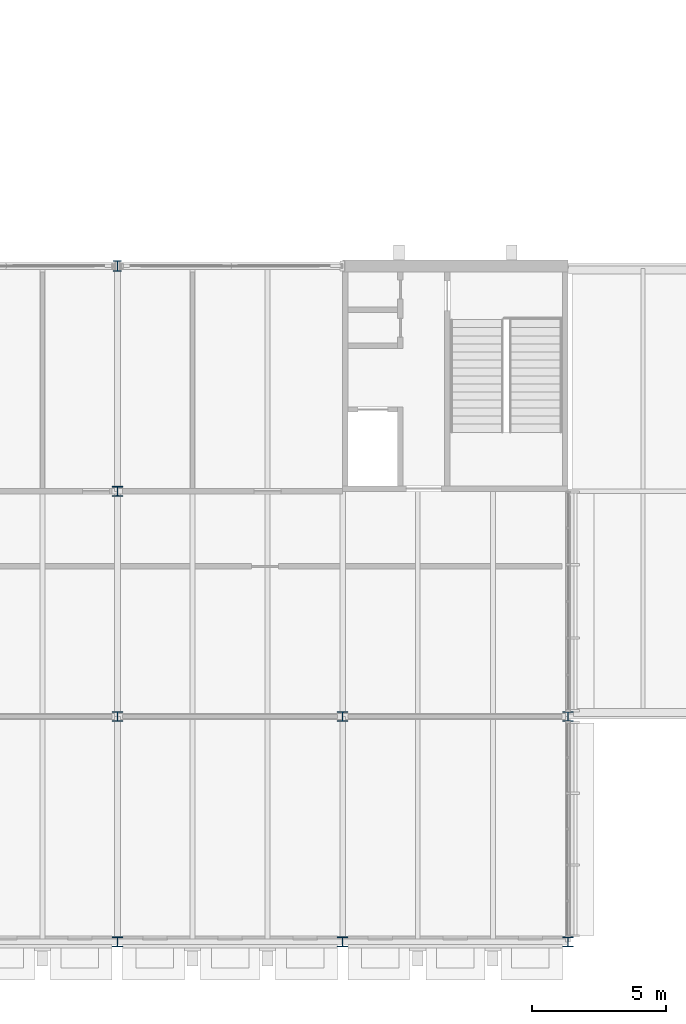
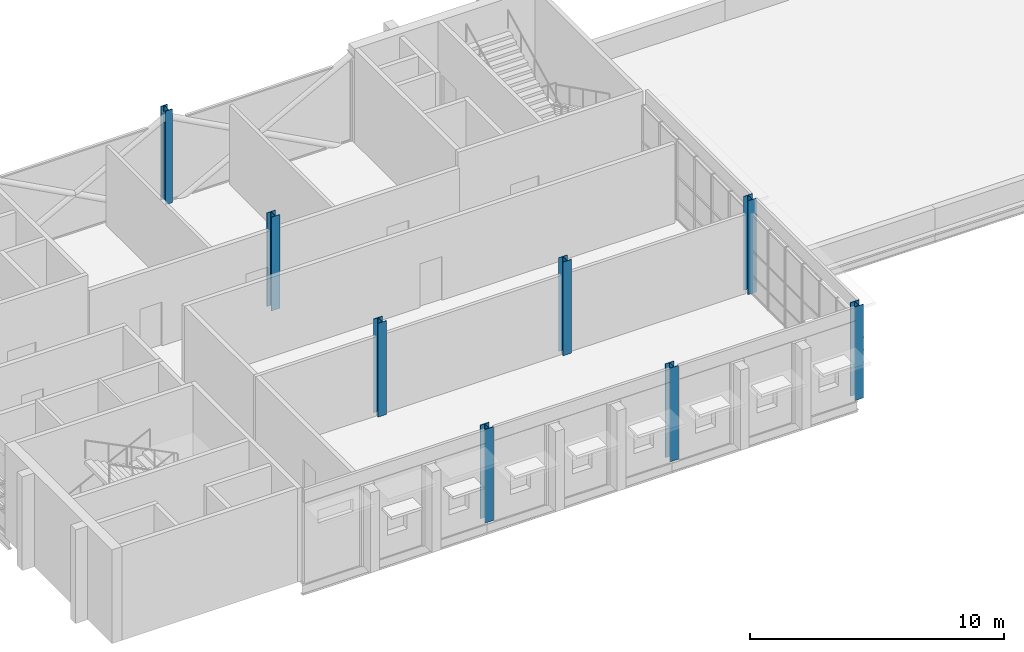
# One storey, part 1 of 29: 8 columns.
"""IFC4 building model written with IfcOpenShell, lengths in metres."""

from ifc_helpers import new_model, si_unit, direction, frame, origin, origin_2d, place, context, subcontext, project, spatial, i_section, extrude, material, material_profile, profile_set, type_object, element, save


model = new_model("IFC4")

# Units and contexts
model_context = context("Model", 3, precision=1e-05, world=origin(), true_north=direction((0.0, 1.0)))
body_context = subcontext(model_context, "Body", "Model", "MODEL_VIEW")
ifc_project = project(units=[si_unit("LENGTHUNIT", "METRE"), si_unit("AREAUNIT", "SQUARE_METRE"), si_unit("VOLUMEUNIT", "CUBIC_METRE"), si_unit("PLANEANGLEUNIT", "RADIAN"), si_unit("MASSUNIT", "GRAM", prefix="KILO")], contexts=[model_context])

# Site, building, storey
site_placement = place(None, origin())
site = spatial("IfcSite", under=ifc_project, at=site_placement, CompositionType="ELEMENT")
building_placement = place(site_placement, origin())
building = spatial("IfcBuilding", under=site, at=building_placement, Name="Ardhachandra Cancer Care Centre", CompositionType="ELEMENT")
storey_placement = place(building_placement, frame((0.0, 0.0, 13.5)))
storey = spatial("IfcBuildingStorey", under=building, at=storey_placement, Name="L03", CompositionType="ELEMENT", Elevation=13.5)

# Columns
ifc_material_1 = material(Name="Steel E350 (IS 2062)", Category="steel")
ifc_material_profile_1 = material_profile(ifc_material_1, i_section(OverallWidth=0.300048828125, OverallDepth=0.39990234375, WebThickness=0.013427734375, FlangeThickness=0.02392578125, FilletRadius=0.027099609375, at=origin_2d()), Name="WPB 400x300x155.26")
ifc_profile_set_1 = profile_set([ifc_material_profile_1], Name="Steel E350 (IS 2062)")
column_type_1 = type_object("IfcColumnType", Name="Column WPB 400x300x155.26", PredefinedType="COLUMN", material=ifc_profile_set_1)
column_placement = place(storey_placement, frame((27.60009765625, 96.60009765625, 0.0), z_axis=(0.0, 0.0, 1.0), x_axis=(1.0, 0.0, 0.0)))
element("IfcColumn", 1, at=column_placement, inside=storey, type_object=column_type_1, Name="Column L3 L03", PredefinedType="COLUMN", context=body_context, shape_type="SweptSolid", body=[
    extrude(i_section(OverallWidth=0.300048828125, OverallDepth=0.39990234375, WebThickness=0.013427734375, FlangeThickness=0.02392578125, FilletRadius=0.027099609375, at=origin_2d()), origin(), (0.0, 0.0, 1.0), 4.5),
])
ifc_material_2 = material(Name="Steel E350 (IS 2062)", Category="steel")
ifc_material_profile_2 = material_profile(ifc_material_2, i_section(OverallWidth=0.39111328125, OverallDepth=0.367919921875, WebThickness=0.014892578125, FlangeThickness=0.024169921875, FilletRadius=0.027099609375, at=origin_2d()), Name="WPB 400x400x191.10")
ifc_profile_set_2 = profile_set([ifc_material_profile_2], Name="Steel E350 (IS 2062)")
column_type_2 = type_object("IfcColumnType", Name="Column WPB 400x400x191.10", PredefinedType="COLUMN", material=ifc_profile_set_2)
for number, where, z_axis, x_axis, name in (
    (2, (27.60009765625, 71.39990234375, 0.0), (0.0, 0.0, 1.0), (1.0, 0.0, 0.0), "Column H3 L03"),
    (3, (36.0, 71.39990234375, 0.0), (0.0, 0.0, 1.0), (1.0, 0.0, 0.0), "Column H4 L03"),
    (4, (44.39990234375, 71.39990234375, 0.0), (0.0, 0.0, 1.0), (1.0, 0.0, 0.0), "Column H5 L03"),
    (5, (27.60009765625, 79.800048828125, 0.0), (0.0, 0.0, 1.0), (1.0, 0.0, 0.0), "Column J3 L03"),
    (6, (36.0, 79.800048828125, 0.0), (0.0, 0.0, 1.0), (1.0, 0.0, 0.0), "Column J4 L03"),
    (7, (44.39990234375, 79.800048828125, 0.0), (0.0, 0.0, 1.0), (1.0, 0.0, 0.0), "Column J5 L03"),
    (8, (27.60009765625, 88.199951171875, 0.0), (0.0, 0.0, 1.0), (1.0, 0.0, 0.0), "Column K3 L03"),
):
    element("IfcColumn", number, at=place(storey_placement, frame(where, z_axis=z_axis, x_axis=x_axis)), inside=storey, type_object=column_type_2, Name=name, PredefinedType="COLUMN", context=body_context, shape_type="SweptSolid", body=[
        extrude(i_section(OverallWidth=0.39111328125, OverallDepth=0.367919921875, WebThickness=0.014892578125, FlangeThickness=0.024169921875, FilletRadius=0.027099609375, at=origin_2d()), origin(), (0.0, 0.0, 1.0), 4.5),
    ])

save(model, "model.ifc")
